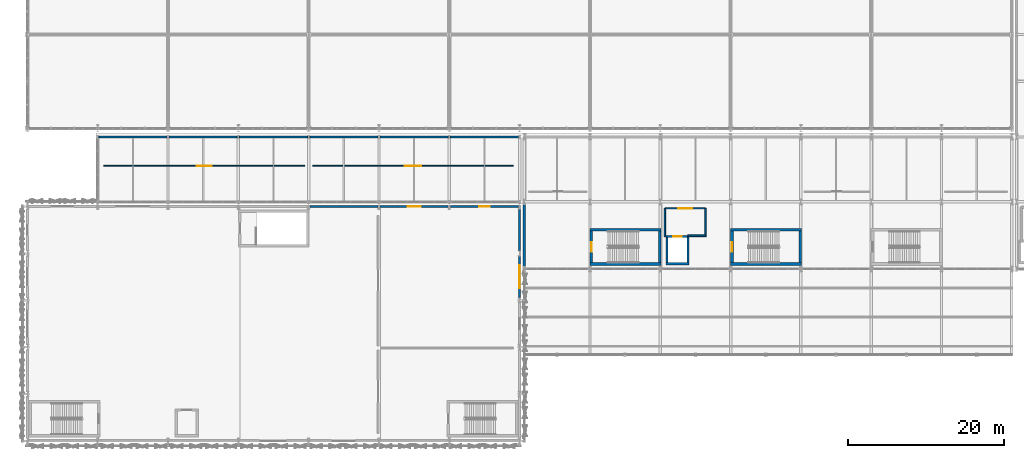
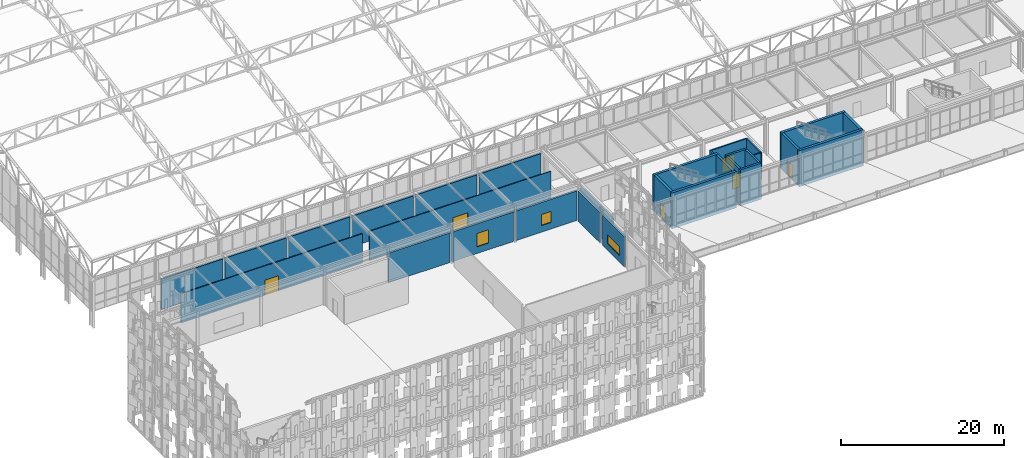
# One storey, part 201 of 239: 30 walls, 6 doors, 3 windows, 9 openings.
"""IFC4 building model written with IfcOpenShell, lengths in metres."""

from ifc_helpers import new_model, si_unit, direction, frame, frame_2d, origin, place, context, subcontext, project, spatial, rectangle, extrude, material, layer, layer_set, type_object, element, fill, save


model = new_model("IFC4")

# Units and contexts
model_context = context("Model", 3, precision=1e-05, world=origin(), true_north=direction((0.0, 1.0)))
body_context = subcontext(model_context, "Body", "Model", "MODEL_VIEW")
ifc_project = project(units=[si_unit("LENGTHUNIT", "METRE"), si_unit("AREAUNIT", "SQUARE_METRE"), si_unit("VOLUMEUNIT", "CUBIC_METRE"), si_unit("PLANEANGLEUNIT", "RADIAN"), si_unit("MASSUNIT", "GRAM", prefix="KILO")], contexts=[model_context])

# Site, building, storey
site_placement = place(None, origin())
site = spatial("IfcSite", under=ifc_project, at=site_placement, CompositionType="ELEMENT")
building_placement = place(site_placement, origin())
building = spatial("IfcBuilding", under=site, at=building_placement, Name="Kaldris Quays Convention Centre", CompositionType="ELEMENT")
storey_placement = place(building_placement, frame((0.0, 0.0, 11.39990234375)))
storey = spatial("IfcBuildingStorey", under=building, at=storey_placement, Name="L02", CompositionType="ELEMENT", Elevation=11.39990234375)

# Walls
ifc_material_1 = material(Name="Precast concrete C40/50", Category="concrete")
ifc_layer_1 = layer(ifc_material_1, 0.2880859375)
ifc_layer_set_1 = layer_set([ifc_layer_1], Name="Precast concrete C40/50")
wall_type_1 = type_object("IfcWallType", Name="EXTERIOR WALL EW03", PredefinedType="STANDARD", material=ifc_layer_set_1)
wall_1_placement = place(storey_placement, frame((83.60009765625, 38.345947265625, 0.0), z_axis=(0.0, 0.0, 1.0), x_axis=(0.0, 1.0, 0.0)))
element("IfcWall", 1, at=wall_1_placement, inside=storey, type_object=wall_type_1, Name="L02 Exterior Wall EW03 254", PredefinedType="STANDARD", context=body_context, shape_type="SweptSolid", body=[
    extrude(rectangle(XDim=7.907958984375, YDim=0.2880859375, at=frame_2d((3.9541015625, 0.0))), origin(), (0.0, 0.0, 1.0), 4.548095703125),
])
ifc_layer_2 = layer(ifc_material_1, 0.263916015625)
ifc_layer_set_2 = layer_set([ifc_layer_2], Name="Precast concrete C40/50")
wall_type_2 = type_object("IfcWallType", Name="EXTERIOR WALL EW04", PredefinedType="STANDARD", material=ifc_layer_set_2)
wall_2_placement = place(storey_placement, frame((56.14599609375, 46.0, 0.0), z_axis=(0.0, 0.0, 1.0), x_axis=(1.0, 0.0, 0.0)))
element("IfcWall", 2, at=wall_2_placement, inside=storey, type_object=wall_type_2, Name="L02 Exterior Wall EW04 175", PredefinedType="STANDARD", context=body_context, shape_type="SweptSolid", body=[
    extrude(rectangle(XDim=8.7080078125, YDim=0.263916015625, at=frame_2d((4.35400390625, 0.0))), origin(), (0.0, 0.0, 1.0), 4.43798828125),
])

# Wall, opening, window
wall_3_placement = place(storey_placement, frame((65.14599609375, 46.0, 0.0), z_axis=(0.0, 0.0, 1.0), x_axis=(1.0, 0.0, 0.0)))
wall_3 = element("IfcWall", 3, at=wall_3_placement, inside=storey, type_object=wall_type_2, Name="L02 Exterior Wall EW04 177", PredefinedType="STANDARD", context=body_context, shape_type="SweptSolid", body=[
    extrude(rectangle(XDim=8.7080078125, YDim=0.263916015625, at=frame_2d((4.35400390625, 0.0))), origin(), (0.0, 0.0, 1.0), 4.43798828125),
])
opening_1_placement = place(wall_3_placement, frame((3.529052734375, 0.0, 1.0)))
opening_1 = element("IfcOpeningElement", 4, at=opening_1_placement, cuts=wall_3, Name="Opening WN15", PredefinedType="OPENING", context=body_context, shape_type="SweptSolid", body=[
    extrude(rectangle(XDim=1.64990234375, YDim=2.0, at=frame_2d((0.824951171875, 1.0))), frame((0.0, 0.14208984375, 0.0), z_axis=(0.0, -1.0, 0.0), x_axis=(1.0, 0.0, 0.0)), (0.0, 0.0, 1.0), 0.283935546875),
])
ifc_material_2 = material(Name="Triple low-E insulated glazing", Category="glass")
window_type_1 = type_object("IfcWindowType", Name="TRIPLE GLAZED WINDOW WN15", PartitioningType="SINGLE_PANEL", PredefinedType="WINDOW", material=ifc_material_2)
window_1_placement = place(opening_1_placement, origin())
window_1 = element("IfcWindow", 5, at=window_1_placement, inside=storey, type_object=window_type_1, Name="L02 Exterior Window WN15 64", OverallHeight=2.0, OverallWidth=1.64990234375, PartitioningType="SINGLE_PANEL", PredefinedType="WINDOW", context=body_context, shape_type="SweptSolid", body=[
    extrude(rectangle(XDim=1.64990234375, YDim=2.0, at=frame_2d((0.824951171875, 1.0))), frame((0.0, 0.030029296875, 0.0), z_axis=(0.0, -1.0, 0.0), x_axis=(1.0, 0.0, 0.0)), (0.0, 0.0, 1.0), 0.06005859375),
])
fill(opening_1, window_1)

wall_4_placement = place(storey_placement, frame((74.14599609375, 46.0, 0.0), z_axis=(0.0, 0.0, 1.0), x_axis=(1.0, 0.0, 0.0)))
wall_4 = element("IfcWall", 6, at=wall_4_placement, inside=storey, type_object=wall_type_2, Name="L02 Exterior Wall EW04 179", PredefinedType="STANDARD", context=body_context, shape_type="SweptSolid", body=[
    extrude(rectangle(XDim=8.7080078125, YDim=0.263916015625, at=frame_2d((4.35400390625, 0.0))), origin(), (0.0, 0.0, 1.0), 4.43798828125),
])
opening_2_placement = place(wall_4_placement, frame((3.678955078125, 0.0, 1.0)))
opening_2 = element("IfcOpeningElement", 7, at=opening_2_placement, cuts=wall_4, Name="Opening WN17", PredefinedType="OPENING", context=body_context, shape_type="SweptSolid", body=[
    extrude(rectangle(XDim=1.35009765625, YDim=1.64990234375, at=frame_2d((0.675048828125, 0.824951171875))), frame((0.0, 0.14208984375, 0.0), z_axis=(0.0, -1.0, 0.0), x_axis=(1.0, 0.0, 0.0)), (0.0, 0.0, 1.0), 0.283935546875),
])
window_type_2 = type_object("IfcWindowType", Name="TRIPLE GLAZED WINDOW WN17", PartitioningType="SINGLE_PANEL", PredefinedType="WINDOW", material=ifc_material_2)
window_2_placement = place(opening_2_placement, origin())
window_2 = element("IfcWindow", 8, at=window_2_placement, inside=storey, type_object=window_type_2, Name="L02 Exterior Window WN17 65", OverallHeight=1.64990234375, OverallWidth=1.35009765625, PartitioningType="SINGLE_PANEL", PredefinedType="WINDOW", context=body_context, shape_type="SweptSolid", body=[
    extrude(rectangle(XDim=1.35009765625, YDim=1.64990234375, at=frame_2d((0.675048828125, 0.824951171875))), frame((0.0, 0.030029296875, 0.0), z_axis=(0.0, -1.0, 0.0), x_axis=(1.0, 0.0, 0.0)), (0.0, 0.0, 1.0), 0.06005859375),
])
fill(opening_2, window_2)

wall_5_placement = place(storey_placement, frame((83.0, 34.345947265625, 0.0), z_axis=(0.0, 0.0, 1.0), x_axis=(0.0, 1.0, 0.0)))
wall_5 = element("IfcWall", 9, at=wall_5_placement, inside=storey, type_object=wall_type_2, Name="L02 Exterior Wall EW04 187", PredefinedType="STANDARD", context=body_context, shape_type="SweptSolid", body=[
    extrude(rectangle(XDim=5.30810546875, YDim=0.263916015625, at=frame_2d((2.654052734375, 0.0))), origin(), (0.0, 0.0, 1.0), 4.5380859375),
])
opening_3_placement = place(wall_5_placement, frame((1.178955078125, 0.0, 1.0)))
opening_3 = element("IfcOpeningElement", 10, at=opening_3_placement, cuts=wall_5, Name="Opening WN28", PredefinedType="OPENING", context=body_context, shape_type="SweptSolid", body=[
    extrude(rectangle(XDim=2.949951171875, YDim=1.35009765625, at=frame_2d((1.47509765625, 0.675048828125))), frame((0.0, 0.14208984375, 0.0), z_axis=(0.0, -1.0, 0.0), x_axis=(1.0, 0.0, 0.0)), (0.0, 0.0, 1.0), 0.283935546875),
])
window_type_3 = type_object("IfcWindowType", Name="TRIPLE GLAZED WINDOW WN28", PartitioningType="SINGLE_PANEL", PredefinedType="WINDOW", material=ifc_material_2)
window_3_placement = place(opening_3_placement, origin())
window_3 = element("IfcWindow", 11, at=window_3_placement, inside=storey, type_object=window_type_3, Name="L02 Exterior Window WN28 69", OverallHeight=1.35009765625, OverallWidth=2.949951171875, PartitioningType="SINGLE_PANEL", PredefinedType="WINDOW", context=body_context, shape_type="SweptSolid", body=[
    extrude(rectangle(XDim=2.949951171875, YDim=1.35009765625, at=frame_2d((1.47509765625, 0.675048828125))), frame((0.0, 0.030029296875, 0.0), z_axis=(0.0, -1.0, 0.0), x_axis=(1.0, 0.0, 0.0)), (0.0, 0.0, 1.0), 0.06005859375),
])
fill(opening_3, window_3)

# Walls
wall_6_placement = place(storey_placement, frame((83.0, 40.345947265625, 0.0), z_axis=(0.0, 0.0, 1.0), x_axis=(0.0, 1.0, 0.0)))
element("IfcWall", 12, at=wall_6_placement, inside=storey, type_object=wall_type_2, Name="L02 Exterior Wall EW04 189", PredefinedType="STANDARD", context=body_context, shape_type="SweptSolid", body=[
    extrude(rectangle(XDim=5.30810546875, YDim=0.263916015625, at=frame_2d((2.654052734375, 0.0))), origin(), (0.0, 0.0, 1.0), 4.5380859375),
])
ifc_material_3 = material(Name="Anodized aluminium insulated cassette", Category="aluminium")
ifc_layer_3 = layer(ifc_material_3, 0.221923828125)
ifc_layer_set_3 = layer_set([ifc_layer_3], Name="Anodized aluminium insulated cassette")
wall_type_3 = type_object("IfcWallType", Name="EXTERIOR WALL EW06", PredefinedType="STANDARD", material=ifc_layer_set_3)
for number, where, z_axis, x_axis, name in (
    (13, (29.14599609375, 54.89990234375, 0.0), (0.0, 0.0, 1.0), (1.0, 0.0, 0.0), "L02 Exterior Wall EW06 221"),
    (14, (38.14599609375, 54.89990234375, 0.0), (0.0, 0.0, 1.0), (1.0, 0.0, 0.0), "L02 Exterior Wall EW06 222"),
    (15, (47.14599609375, 54.89990234375, 0.0), (0.0, 0.0, 1.0), (1.0, 0.0, 0.0), "L02 Exterior Wall EW06 223"),
    (16, (56.14599609375, 54.89990234375, 0.0), (0.0, 0.0, 1.0), (1.0, 0.0, 0.0), "L02 Exterior Wall EW06 224"),
    (17, (65.14599609375, 54.89990234375, 0.0), (0.0, 0.0, 1.0), (1.0, 0.0, 0.0), "L02 Exterior Wall EW06 225"),
    (18, (74.14599609375, 54.89990234375, 0.0), (0.0, 0.0, 1.0), (1.0, 0.0, 0.0), "L02 Exterior Wall EW06 226"),
):
    element("IfcWall", number, at=place(storey_placement, frame(where, z_axis=z_axis, x_axis=x_axis)), inside=storey, type_object=wall_type_3, Name=name, PredefinedType="STANDARD", context=body_context, shape_type="SweptSolid", body=[
        extrude(rectangle(XDim=8.7080078125, YDim=0.221923828125, at=frame_2d((4.35400390625, 0.0))), origin(), (0.0, 0.0, 1.0), 4.578125),
    ])

# Wall, opening, door
ifc_material_4 = material(Name="Concrete C35/45", Category="concrete")
ifc_layer_4 = layer(ifc_material_4, 0.199951171875)
ifc_layer_set_4 = layer_set([ifc_layer_4], Name="Concrete C35/45")
wall_type_4 = type_object("IfcWallType", Name="INTERIOR WALL IW01", PredefinedType="PARTITIONING", material=ifc_layer_set_4)
wall_7_placement = place(storey_placement, frame((101.60009765625, 45.75, 0.0), z_axis=(0.0, 0.0, 1.0), x_axis=(1.0, 0.0, 0.0)))
wall_7 = element("IfcWall", 19, at=wall_7_placement, inside=storey, type_object=wall_type_4, Name="L02 Firefighting Lift Lobby FL01 Wall N", PredefinedType="PARTITIONING", context=body_context, shape_type="SweptSolid", body=[
    extrude(rectangle(XDim=5.199951171875, YDim=0.199951171875, at=frame_2d((2.60009765625, 0.0))), origin(), (0.0, 0.0, 1.0), 4.0),
])
opening_4_placement = place(wall_7_placement, frame((1.699951171875, 0.0, 0.0)))
opening_4 = element("IfcOpeningElement", 20, at=opening_4_placement, cuts=wall_7, Name="Opening ID02", PredefinedType="OPENING", context=body_context, shape_type="SweptSolid", body=[
    extrude(rectangle(XDim=1.800048828125, YDim=2.199951171875, at=frame_2d((0.89990234375, 1.10009765625))), frame((0.0, 0.10986328125, 0.0), z_axis=(0.0, -1.0, 0.0), x_axis=(1.0, 0.0, 0.0)), (0.0, 0.0, 1.0), 0.219970703125),
])
ifc_material_5 = material(Name="Steel S355J2 fire-resisting door", Category="steel")
door_type_1 = type_object("IfcDoorType", Name="INTERIOR DOOR ID02", OperationType="DOUBLE_DOOR_SINGLE_SWING", PredefinedType="DOOR", material=ifc_material_5)
door_1_placement = place(opening_4_placement, origin())
door_1 = element("IfcDoor", 21, at=door_1_placement, inside=storey, type_object=door_type_1, Name="L02 Firefighting Lift Lobby FL01 Fire Door", OperationType="DOUBLE_DOOR_SINGLE_SWING", OverallHeight=2.199951171875, OverallWidth=1.800048828125, PredefinedType="DOOR", context=body_context, shape_type="SweptSolid", body=[
    extrude(rectangle(XDim=1.800048828125, YDim=2.199951171875, at=frame_2d((0.89990234375, 1.10009765625))), frame((0.0, 0.02490234375, 0.0), z_axis=(0.0, -1.0, 0.0), x_axis=(1.0, 0.0, 0.0)), (0.0, 0.0, 1.0), 0.050048828125),
])
fill(opening_4, door_1)

# Walls
for number, where, z_axis, x_axis, name in (
    (22, (101.60009765625, 42.14990234375, 0.0), (0.0, 0.0, 1.0), (0.0, 1.0, 0.0), "L02 Firefighting Lift Lobby FL01 Wall W"),
    (23, (106.800048828125, 42.14990234375, 0.0), (0.0, 0.0, 1.0), (0.0, 1.0, 0.0), "L02 Firefighting Lift Lobby FL01 Wall E"),
):
    element("IfcWall", number, at=place(storey_placement, frame(where, z_axis=z_axis, x_axis=x_axis)), inside=storey, type_object=wall_type_4, Name=name, PredefinedType="PARTITIONING", context=body_context, shape_type="SweptSolid", body=[
        extrude(rectangle(XDim=3.60009765625, YDim=0.199951171875, at=frame_2d((1.800048828125, 0.0))), origin(), (0.0, 0.0, 1.0), 4.0),
    ])
wall_8_placement = place(storey_placement, frame((104.5400390625, 42.25, 0.0), z_axis=(0.0, 0.0, 1.0), x_axis=(1.0, 0.0, 0.0)))
element("IfcWall", 24, at=wall_8_placement, inside=storey, type_object=wall_type_4, Name="L02 Firefighting Lift Lobby FL01 Wall S", PredefinedType="PARTITIONING", context=body_context, shape_type="SweptSolid", body=[
    extrude(rectangle(XDim=2.260009765625, YDim=0.199951171875, at=frame_2d((1.1298828125, 0.0))), origin(), (0.0, 0.0, 1.0), 4.0),
])

# Wall, opening, door
ifc_material_6 = material(Name="Acoustic gypsum stud partition", Category="gypsum")
ifc_layer_5 = layer(ifc_material_6, 0.134033203125)
ifc_layer_set_5 = layer_set([ifc_layer_5], Name="Acoustic gypsum stud partition")
wall_type_5 = type_object("IfcWallType", Name="INTERIOR WALL IW05", PredefinedType="PARTITIONING", material=ifc_layer_set_5)
wall_9_placement = place(storey_placement, frame((29.800048828125, 51.199951171875, 0.0), z_axis=(0.0, 0.0, 1.0), x_axis=(1.0, 0.0, 0.0)))
wall_9 = element("IfcWall", 25, at=wall_9_placement, inside=storey, type_object=wall_type_5, Name="L02 Interior Wall IW05 85", PredefinedType="PARTITIONING", context=body_context, shape_type="SweptSolid", body=[
    extrude(rectangle(XDim=25.699951171875, YDim=0.134033203125, at=frame_2d((12.85009765625, 0.0))), origin(), (0.0, 0.0, 1.0), 4.400146484375),
])
opening_5_placement = place(wall_9_placement, frame((11.89990234375, 0.0, 0.0)))
opening_5 = element("IfcOpeningElement", 26, at=opening_5_placement, cuts=wall_9, Name="Opening ID09", PredefinedType="OPENING", context=body_context, shape_type="SweptSolid", body=[
    extrude(rectangle(XDim=1.89990234375, YDim=2.260009765625, at=frame_2d((0.949951171875, 1.1298828125))), frame((0.0, 0.0771484375, 0.0), z_axis=(0.0, -1.0, 0.0), x_axis=(1.0, 0.0, 0.0)), (0.0, 0.0, 1.0), 0.154052734375),
])
ifc_material_7 = material(Name="Timber acoustic double door", Category="wood")
door_type_2 = type_object("IfcDoorType", Name="INTERIOR DOOR ID09", OperationType="DOUBLE_DOOR_SINGLE_SWING", PredefinedType="DOOR", material=ifc_material_7)
door_2_placement = place(opening_5_placement, origin())
door_2 = element("IfcDoor", 27, at=door_2_placement, inside=storey, type_object=door_type_2, Name="L02 Interior Door ID09 57", OperationType="DOUBLE_DOOR_SINGLE_SWING", OverallHeight=2.260009765625, OverallWidth=1.89990234375, PredefinedType="DOOR", context=body_context, shape_type="SweptSolid", body=[
    extrude(rectangle(XDim=1.89990234375, YDim=2.260009765625, at=frame_2d((0.949951171875, 1.1298828125))), frame((0.0, 0.02490234375, 0.0), z_axis=(0.0, -1.0, 0.0), x_axis=(1.0, 0.0, 0.0)), (0.0, 0.0, 1.0), 0.050048828125),
])
fill(opening_5, door_2)

wall_10_placement = place(storey_placement, frame((56.5, 51.199951171875, 0.0), z_axis=(0.0, 0.0, 1.0), x_axis=(1.0, 0.0, 0.0)))
wall_10 = element("IfcWall", 28, at=wall_10_placement, inside=storey, type_object=wall_type_5, Name="L02 Interior Wall IW05 86", PredefinedType="PARTITIONING", context=body_context, shape_type="SweptSolid", body=[
    extrude(rectangle(XDim=25.699951171875, YDim=0.134033203125, at=frame_2d((12.85009765625, 0.0))), origin(), (0.0, 0.0, 1.0), 4.400146484375),
])
opening_6_placement = place(wall_10_placement, frame((11.800048828125, 0.0, 0.0)))
opening_6 = element("IfcOpeningElement", 29, at=opening_6_placement, cuts=wall_10, Name="Opening ID10", PredefinedType="OPENING", context=body_context, shape_type="SweptSolid", body=[
    extrude(rectangle(XDim=2.10009765625, YDim=2.300048828125, at=frame_2d((1.050048828125, 1.14990234375))), frame((0.0, 0.0771484375, 0.0), z_axis=(0.0, -1.0, 0.0), x_axis=(1.0, 0.0, 0.0)), (0.0, 0.0, 1.0), 0.154052734375),
])
ifc_material_8 = material(Name="Glazed anodized aluminium foyer door", Category="aluminium")
door_type_3 = type_object("IfcDoorType", Name="INTERIOR DOOR ID10", OperationType="DOUBLE_DOOR_SINGLE_SWING", PredefinedType="DOOR", material=ifc_material_8)
door_3_placement = place(opening_6_placement, origin())
door_3 = element("IfcDoor", 30, at=door_3_placement, inside=storey, type_object=door_type_3, Name="L02 Interior Door ID10 58", OperationType="DOUBLE_DOOR_SINGLE_SWING", OverallHeight=2.300048828125, OverallWidth=2.10009765625, PredefinedType="DOOR", context=body_context, shape_type="SweptSolid", body=[
    extrude(rectangle(XDim=2.10009765625, YDim=2.300048828125, at=frame_2d((1.050048828125, 1.14990234375))), frame((0.0, 0.02490234375, 0.0), z_axis=(0.0, -1.0, 0.0), x_axis=(1.0, 0.0, 0.0)), (0.0, 0.0, 1.0), 0.050048828125),
])
fill(opening_6, door_3)

# Walls
ifc_material_9 = material(Name="Concrete C40/50", Category="concrete")
ifc_layer_6 = layer(ifc_material_9, 0.35009765625)
ifc_layer_set_6 = layer_set([ifc_layer_6], Name="Concrete C40/50")
wall_type_6 = type_object("IfcWallType", Name="STRUCTURAL WALL SW01", PredefinedType="SHEAR", material=ifc_layer_set_6)
for number, where, z_axis, x_axis, name in (
    (31, (92.0, 38.625, 0.0), (0.0, 0.0, 1.0), (1.0, 0.0, 0.0), "L02 Core Shear Wall CORE-ST11-L02-S"),
    (32, (92.0, 43.02490234375, 0.0), (0.0, 0.0, 1.0), (1.0, 0.0, 0.0), "L02 Core Shear Wall CORE-ST11-L02-N"),
):
    element("IfcWall", number, at=place(storey_placement, frame(where, z_axis=z_axis, x_axis=x_axis)), inside=storey, type_object=wall_type_6, Name=name, PredefinedType="SHEAR", context=body_context, shape_type="SweptSolid", body=[
        extrude(rectangle(XDim=9.10009765625, YDim=0.35009765625, at=frame_2d((4.550048828125, 0.0))), origin(), (0.0, 0.0, 1.0), 5.400146484375),
    ])

# Wall, opening, door
wall_11_placement = place(storey_placement, frame((92.175048828125, 38.800048828125, 0.0), z_axis=(0.0, 0.0, 1.0), x_axis=(0.0, 1.0, 0.0)))
wall_11 = element("IfcWall", 33, at=wall_11_placement, inside=storey, type_object=wall_type_6, Name="L02 Core Shear Wall CORE-ST11-L02-W", PredefinedType="SHEAR", context=body_context, shape_type="SweptSolid", body=[
    extrude(rectangle(XDim=4.050048828125, YDim=0.35009765625, at=frame_2d((2.02490234375, 0.0))), origin(), (0.0, 0.0, 1.0), 5.400146484375),
])
opening_7_placement = place(wall_11_placement, frame((1.425048828125, 0.0, 0.0)))
opening_7 = element("IfcOpeningElement", 34, at=opening_7_placement, cuts=wall_11, Name="Opening ID03", PredefinedType="OPENING", context=body_context, shape_type="SweptSolid", body=[
    extrude(rectangle(XDim=1.199951171875, YDim=2.199951171875, at=frame_2d((0.60009765625, 1.10009765625))), frame((0.0, 0.18505859375, 0.0), z_axis=(0.0, -1.0, 0.0), x_axis=(1.0, 0.0, 0.0)), (0.0, 0.0, 1.0), 0.3701171875),
])
door_type_4 = type_object("IfcDoorType", Name="INTERIOR DOOR ID03", OperationType="NOTDEFINED", PredefinedType="DOOR", material=ifc_material_5)
door_4_placement = place(opening_7_placement, frame((1.199951171875, 0.0, 0.0), z_axis=(0.0, 0.0, 1.0), x_axis=(-1.0, 0.0, 0.0)))
door_4 = element("IfcDoor", 35, at=door_4_placement, inside=storey, type_object=door_type_4, Name="L02 Escape Stair ST11 Fire Door", OperationType="SINGLE_SWING_RIGHT", OverallHeight=2.199951171875, OverallWidth=1.199951171875, PredefinedType="DOOR", context=body_context, shape_type="SweptSolid", body=[
    extrude(rectangle(XDim=1.199951171875, YDim=2.199951171875, at=frame_2d((0.60009765625, 1.10009765625))), frame((0.0, 0.02490234375, 0.0), z_axis=(0.0, -1.0, 0.0), x_axis=(1.0, 0.0, 0.0)), (0.0, 0.0, 1.0), 0.050048828125),
])
fill(opening_7, door_4)

# Walls
wall_12_placement = place(storey_placement, frame((100.925048828125, 38.800048828125, 0.0), z_axis=(0.0, 0.0, 1.0), x_axis=(0.0, 1.0, 0.0)))
element("IfcWall", 36, at=wall_12_placement, inside=storey, type_object=wall_type_6, Name="L02 Core Shear Wall CORE-ST11-L02-E", PredefinedType="SHEAR", context=body_context, shape_type="SweptSolid", body=[
    extrude(rectangle(XDim=4.050048828125, YDim=0.35009765625, at=frame_2d((2.02490234375, 0.0))), origin(), (0.0, 0.0, 1.0), 5.400146484375),
])
for number, where, z_axis, x_axis, name in (
    (37, (110.0, 38.625, 0.0), (0.0, 0.0, 1.0), (1.0, 0.0, 0.0), "L02 Core Shear Wall CORE-ST13-L02-S"),
    (38, (110.0, 43.02490234375, 0.0), (0.0, 0.0, 1.0), (1.0, 0.0, 0.0), "L02 Core Shear Wall CORE-ST13-L02-N"),
):
    element("IfcWall", number, at=place(storey_placement, frame(where, z_axis=z_axis, x_axis=x_axis)), inside=storey, type_object=wall_type_6, Name=name, PredefinedType="SHEAR", context=body_context, shape_type="SweptSolid", body=[
        extrude(rectangle(XDim=9.10009765625, YDim=0.35009765625, at=frame_2d((4.550048828125, 0.0))), origin(), (0.0, 0.0, 1.0), 5.400146484375),
    ])

# Wall, opening, door
wall_13_placement = place(storey_placement, frame((110.175048828125, 38.800048828125, 0.0), z_axis=(0.0, 0.0, 1.0), x_axis=(0.0, 1.0, 0.0)))
wall_13 = element("IfcWall", 39, at=wall_13_placement, inside=storey, type_object=wall_type_6, Name="L02 Core Shear Wall CORE-ST13-L02-W", PredefinedType="SHEAR", context=body_context, shape_type="SweptSolid", body=[
    extrude(rectangle(XDim=4.050048828125, YDim=0.35009765625, at=frame_2d((2.02490234375, 0.0))), origin(), (0.0, 0.0, 1.0), 5.400146484375),
])
opening_8_placement = place(wall_13_placement, frame((1.425048828125, 0.0, 0.0)))
opening_8 = element("IfcOpeningElement", 40, at=opening_8_placement, cuts=wall_13, Name="Opening ID03", PredefinedType="OPENING", context=body_context, shape_type="SweptSolid", body=[
    extrude(rectangle(XDim=1.199951171875, YDim=2.199951171875, at=frame_2d((0.60009765625, 1.10009765625))), frame((0.0, 0.18505859375, 0.0), z_axis=(0.0, -1.0, 0.0), x_axis=(1.0, 0.0, 0.0)), (0.0, 0.0, 1.0), 0.3701171875),
])
door_5_placement = place(opening_8_placement, frame((1.199951171875, 0.0, 0.0), z_axis=(0.0, 0.0, 1.0), x_axis=(-1.0, 0.0, 0.0)))
door_5 = element("IfcDoor", 41, at=door_5_placement, inside=storey, type_object=door_type_4, Name="L02 Escape Stair ST13 Fire Door", OperationType="SINGLE_SWING_RIGHT", OverallHeight=2.199951171875, OverallWidth=1.199951171875, PredefinedType="DOOR", context=body_context, shape_type="SweptSolid", body=[
    extrude(rectangle(XDim=1.199951171875, YDim=2.199951171875, at=frame_2d((0.60009765625, 1.10009765625))), frame((0.0, 0.02490234375, 0.0), z_axis=(0.0, -1.0, 0.0), x_axis=(1.0, 0.0, 0.0)), (0.0, 0.0, 1.0), 0.050048828125),
])
fill(opening_8, door_5)

# Walls
wall_14_placement = place(storey_placement, frame((118.925048828125, 38.800048828125, 0.0), z_axis=(0.0, 0.0, 1.0), x_axis=(0.0, 1.0, 0.0)))
element("IfcWall", 42, at=wall_14_placement, inside=storey, type_object=wall_type_6, Name="L02 Core Shear Wall CORE-ST13-L02-E", PredefinedType="SHEAR", context=body_context, shape_type="SweptSolid", body=[
    extrude(rectangle(XDim=4.050048828125, YDim=0.35009765625, at=frame_2d((2.02490234375, 0.0))), origin(), (0.0, 0.0, 1.0), 5.400146484375),
])
ifc_layer_7 = layer(ifc_material_9, 0.280029296875)
ifc_layer_set_7 = layer_set([ifc_layer_7], Name="Concrete C40/50")
wall_type_7 = type_object("IfcWallType", Name="STRUCTURAL WALL SW03", PredefinedType="SHEAR", material=ifc_layer_set_7)
wall_15_placement = place(storey_placement, frame((101.719970703125, 38.659912109375, 0.0), z_axis=(0.0, 0.0, 1.0), x_axis=(1.0, 0.0, 0.0)))
element("IfcWall", 43, at=wall_15_placement, inside=storey, type_object=wall_type_7, Name="L02 Core Shear Wall LSHAFT-FL01-L02-S", PredefinedType="SHEAR", context=body_context, shape_type="SweptSolid", body=[
    extrude(rectangle(XDim=2.9599609375, YDim=0.280029296875, at=frame_2d((1.47998046875, 0.0))), origin(), (0.0, 0.0, 1.0), 5.400146484375),
])

# Wall, opening, door
wall_16_placement = place(storey_placement, frame((101.719970703125, 42.139892578125, 0.0), z_axis=(0.0, 0.0, 1.0), x_axis=(1.0, 0.0, 0.0)))
wall_16 = element("IfcWall", 44, at=wall_16_placement, inside=storey, type_object=wall_type_7, Name="L02 Core Shear Wall LSHAFT-FL01-L02-N", PredefinedType="SHEAR", context=body_context, shape_type="SweptSolid", body=[
    extrude(rectangle(XDim=2.9599609375, YDim=0.280029296875, at=frame_2d((1.47998046875, 0.0))), origin(), (0.0, 0.0, 1.0), 5.400146484375),
])
opening_9_placement = place(wall_16_placement, frame((0.929931640625, 0.0, 0.0)))
opening_9 = element("IfcOpeningElement", 45, at=opening_9_placement, cuts=wall_16, Name="Opening LD01", PredefinedType="OPENING", context=body_context, shape_type="SweptSolid", body=[
    extrude(rectangle(XDim=1.10009765625, YDim=2.14990234375, at=frame_2d((0.550048828125, 1.074951171875))), frame((0.0, 0.14990234375, 0.0), z_axis=(0.0, -1.0, 0.0), x_axis=(1.0, 0.0, 0.0)), (0.0, 0.0, 1.0), 0.300048828125),
])
ifc_material_10 = material(Name="Stainless steel 1.4301 lift landing door", Category="steel")
door_type_5 = type_object("IfcDoorType", Name="INTERIOR DOOR LD01", OperationType="DOUBLE_DOOR_SLIDING", PredefinedType="DOOR", material=ifc_material_10)
door_6_placement = place(opening_9_placement, origin())
door_6 = element("IfcDoor", 46, at=door_6_placement, inside=storey, type_object=door_type_5, Name="L02 FL01 Sliding Lift Landing Door", OperationType="DOUBLE_DOOR_SLIDING", OverallHeight=2.14990234375, OverallWidth=1.10009765625, PredefinedType="DOOR", context=body_context, shape_type="SweptSolid", body=[
    extrude(rectangle(XDim=1.10009765625, YDim=2.14990234375, at=frame_2d((0.550048828125, 1.074951171875))), frame((0.0, 0.02490234375, 0.0), z_axis=(0.0, -1.0, 0.0), x_axis=(1.0, 0.0, 0.0)), (0.0, 0.0, 1.0), 0.050048828125),
])
fill(opening_9, door_6)

# Walls
for number, where, z_axis, x_axis, name in (
    (47, (101.860107421875, 38.800048828125, 0.0), (0.0, 0.0, 1.0), (0.0, 1.0, 0.0), "L02 Core Shear Wall LSHAFT-FL01-L02-W"),
    (48, (104.5400390625, 38.800048828125, 0.0), (0.0, 0.0, 1.0), (0.0, 1.0, 0.0), "L02 Core Shear Wall LSHAFT-FL01-L02-E"),
):
    element("IfcWall", number, at=place(storey_placement, frame(where, z_axis=z_axis, x_axis=x_axis)), inside=storey, type_object=wall_type_7, Name=name, PredefinedType="SHEAR", context=body_context, shape_type="SweptSolid", body=[
        extrude(rectangle(XDim=3.199951171875, YDim=0.280029296875, at=frame_2d((1.60009765625, 0.0))), origin(), (0.0, 0.0, 1.0), 5.400146484375),
    ])

save(model, "model.ifc")
